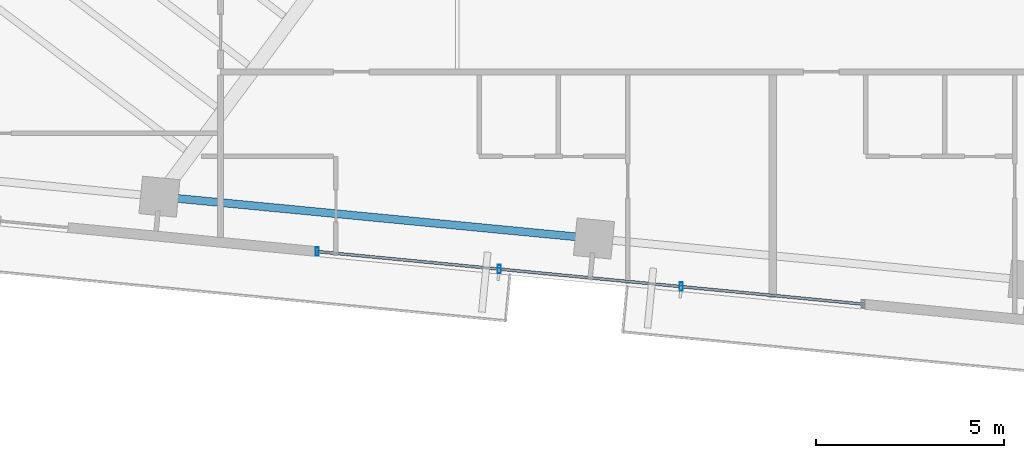
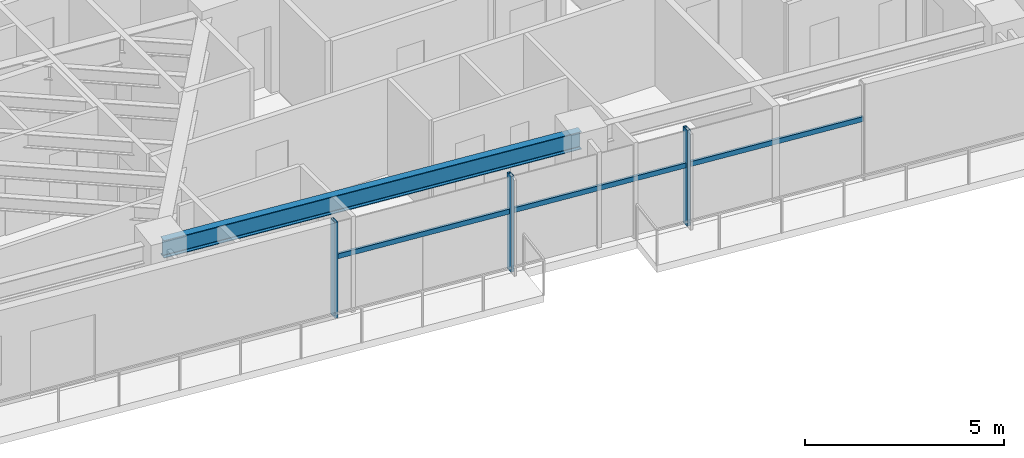
# One storey, part 4 of 20: 6 members, 1 beam, 1 element without a shape of its own.
"""IFC4 building model written with IfcOpenShell, lengths in metres."""

from ifc_helpers import new_model, si_unit, direction, frame, origin, origin_2d, place, context, subcontext, project, spatial, hollow_rectangle, i_section, extrude, source, transform, mapped, material, material_profile, profile_set, type_object, type_shapes, element, aggregate, save


model = new_model("IFC4")

# Units and contexts
model_context = context("Model", 3, precision=1e-05, world=origin(), true_north=direction((0.0, 1.0)))
body_context = subcontext(model_context, "Body", "Model", "MODEL_VIEW")
ifc_project = project(units=[si_unit("LENGTHUNIT", "METRE"), si_unit("AREAUNIT", "SQUARE_METRE"), si_unit("VOLUMEUNIT", "CUBIC_METRE"), si_unit("PLANEANGLEUNIT", "RADIAN"), si_unit("MASSUNIT", "GRAM", prefix="KILO")], contexts=[model_context])

# Site, building, storey
site_placement = place(None, origin())
site = spatial("IfcSite", under=ifc_project, at=site_placement, CompositionType="ELEMENT")
building_placement = place(site_placement, origin())
building = spatial("IfcBuilding", under=site, at=building_placement, Name="Astriad Promenade Condominiums", CompositionType="ELEMENT")
storey_placement = place(building_placement, frame((0.0, 0.0, 131.0)))
storey = spatial("IfcBuildingStorey", under=building, at=storey_placement, Name="L37", CompositionType="ELEMENT", Elevation=131.0)

# Beam
ifc_material_1 = material(Name="Steel ASTM A992 Grade 50", Category="steel")
ifc_material_profile_1 = material_profile(ifc_material_1, i_section(OverallWidth=0.210693359375, OverallDepth=0.53955078125, WebThickness=0.01171875, FlangeThickness=0.018798828125, FilletRadius=0.0166015625, at=origin_2d()), Name="W21X73")
ifc_profile_set_1 = profile_set([ifc_material_profile_1], Name="Steel ASTM A992 Grade 50")
beam_type = type_object("IfcBeamType", Name="STEEL SPANDREL BEAM W21X73", PredefinedType="SPANDREL", material=ifc_profile_set_1)
shared_shape_1 = source(origin(), body_context, "Body", "SweptSolid", [
    extrude(i_section(OverallWidth=0.210693359375, OverallDepth=0.53955078125, WebThickness=0.01171875, FlangeThickness=0.018798828125, FilletRadius=0.0166015625, at=origin_2d()), origin(), (0.0, 0.0, 1.0), 11.52001953125),
])
type_shapes(beam_type, [shared_shape_1])
beam_placement = place(storey_placement, frame((20.467041015625, 9.32763671875, 2.67041015625), z_axis=(0.9953953902, -0.095854145285, 0.0), x_axis=(0.095854145285, 0.9953953902, 0.0)))
element("IfcBeam", 1, at=beam_placement, inside=storey, type_object=beam_type, Name="Perimeter Spandrel Beam SP-S2-L37", PredefinedType="SPANDREL", context=body_context, shape_type="MappedRepresentation", body=[
    mapped(shared_shape_1, transform((0.0, 0.0, 0.0), scale=1.0)),
])

# Curtain wall, members
ifc_material_2 = material(Name="Anodised aluminium Black Dark Glass Unitised", Category="aluminium")
curtain_wall_type = type_object("IfcCurtainWallType", Name="CW-B34-DARK", PredefinedType="USERDEFINED", material=ifc_material_2)
curtain_wall_placement = place(storey_placement, origin())
curtain_wall = element("IfcCurtainWall", 2, at=curtain_wall_placement, inside=storey, type_object=curtain_wall_type, Name="CW-L37-S", ObjectType="UNITISED_CURTAIN_WALL", PredefinedType="USERDEFINED")
ifc_material_3 = material(Name="Anodised aluminium 6063-T6 Black", Category="aluminium")
ifc_material_profile_2 = material_profile(ifc_material_3, hollow_rectangle(XDim=0.0849609375, YDim=0.219970703125, WallThickness=0.0048828125, at=origin_2d()), Name="ALU-MUL-85X220")
ifc_profile_set_2 = profile_set([ifc_material_profile_2], Name="Anodised aluminium 6063-T6 Black")
member_type_1 = type_object("IfcMemberType", Name="MUL-ALU-MUL-85X220", PredefinedType="MULLION", material=ifc_profile_set_2)
shared_shape_2 = source(origin(), body_context, "Body", "SweptSolid", [
    extrude(hollow_rectangle(XDim=0.0849609375, YDim=0.219970703125, WallThickness=0.0048828125, at=origin_2d()), origin(), (0.0, 0.0, 1.0), 2.93994140625),
])
type_shapes(member_type_1, [shared_shape_2])
member_1_placement = place(storey_placement, frame((34.2919921875, 6.941650390625, 0.0), z_axis=(0.0, 0.0, 1.0), x_axis=(1.0, 0.0, 0.0)))
member_1 = element("IfcMember", 3, at=member_1_placement, type_object=member_type_1, Name="CW-L37-S-MUL-01", PredefinedType="MULLION", context=body_context, shape_type="MappedRepresentation", body=[
    mapped(shared_shape_2, transform((0.0, 0.0, 0.0), scale=1.0)),
])
member_2_placement = place(storey_placement, frame((29.454345703125, 7.407470703125, 0.0), z_axis=(0.0, 0.0, 1.0), x_axis=(1.0, 0.0, 0.0)))
member_2 = element("IfcMember", 4, at=member_2_placement, type_object=member_type_1, Name="CW-L37-S-MUL-02", PredefinedType="MULLION", context=body_context, shape_type="MappedRepresentation", body=[
    mapped(shared_shape_2, transform((0.0, 0.0, 0.0), scale=1.0)),
])
member_3_placement = place(storey_placement, frame((24.61669921875, 7.873291015625, 0.0), z_axis=(0.0, 0.0, 1.0), x_axis=(1.0, 0.0, 0.0)))
member_3 = element("IfcMember", 5, at=member_3_placement, type_object=member_type_1, Name="CW-L37-S-MUL-03", PredefinedType="MULLION", context=body_context, shape_type="MappedRepresentation", body=[
    mapped(shared_shape_2, transform((0.0, 0.0, 0.0), scale=1.0)),
])
ifc_material_profile_3 = material_profile(ifc_material_3, hollow_rectangle(XDim=0.074951171875, YDim=0.14990234375, WallThickness=0.004150390625, at=origin_2d()), Name="ALU-TRN-75X150")
ifc_profile_set_3 = profile_set([ifc_material_profile_3], Name="Anodised aluminium 6063-T6 Black")
member_type_2 = type_object("IfcMemberType", Name="TRN-ALU-TRN-75X150", PredefinedType="USERDEFINED", material=ifc_profile_set_3)
shared_shape_3 = source(origin(), body_context, "Body", "SweptSolid", [
    extrude(hollow_rectangle(XDim=0.074951171875, YDim=0.14990234375, WallThickness=0.004150390625, at=origin_2d()), origin(), (0.0, 0.0, 1.0), 4.860107421875),
])
type_shapes(member_type_2, [shared_shape_3])
member_4_placement = place(storey_placement, frame((39.129638671875, 6.475830078125, 1.82275390625), z_axis=(-0.995396042559, 0.095847370639, 0.0), x_axis=(-0.095847370639, -0.995396042559, 0.0)))
member_4 = element("IfcMember", 6, at=member_4_placement, type_object=member_type_2, Name="CW-L37-S-TRN-00-0", ObjectType="TRANSOM", PredefinedType="USERDEFINED", context=body_context, shape_type="MappedRepresentation", body=[
    mapped(shared_shape_3, transform((0.0, 0.0, 0.0), scale=1.0)),
])
member_5_placement = place(storey_placement, frame((34.2919921875, 6.941650390625, 1.82275390625), z_axis=(-0.995396042559, 0.095847370639, 0.0), x_axis=(-0.095847370639, -0.995396042559, 0.0)))
member_5 = element("IfcMember", 7, at=member_5_placement, type_object=member_type_2, Name="CW-L37-S-TRN-01-0", ObjectType="TRANSOM", PredefinedType="USERDEFINED", context=body_context, shape_type="MappedRepresentation", body=[
    mapped(shared_shape_3, transform((0.0, 0.0, 0.0), scale=1.0)),
])
member_6_placement = place(storey_placement, frame((29.454345703125, 7.407470703125, 1.82275390625), z_axis=(-0.995396042559, 0.095847370639, 0.0), x_axis=(-0.095847370639, -0.995396042559, 0.0)))
member_6 = element("IfcMember", 8, at=member_6_placement, type_object=member_type_2, Name="CW-L37-S-TRN-02-0", ObjectType="TRANSOM", PredefinedType="USERDEFINED", context=body_context, shape_type="MappedRepresentation", body=[
    mapped(shared_shape_3, transform((0.0, 0.0, 0.0), scale=1.0)),
])
aggregate(curtain_wall, [member_1, member_2, member_3, member_4, member_5, member_6])

save(model, "model.ifc")
